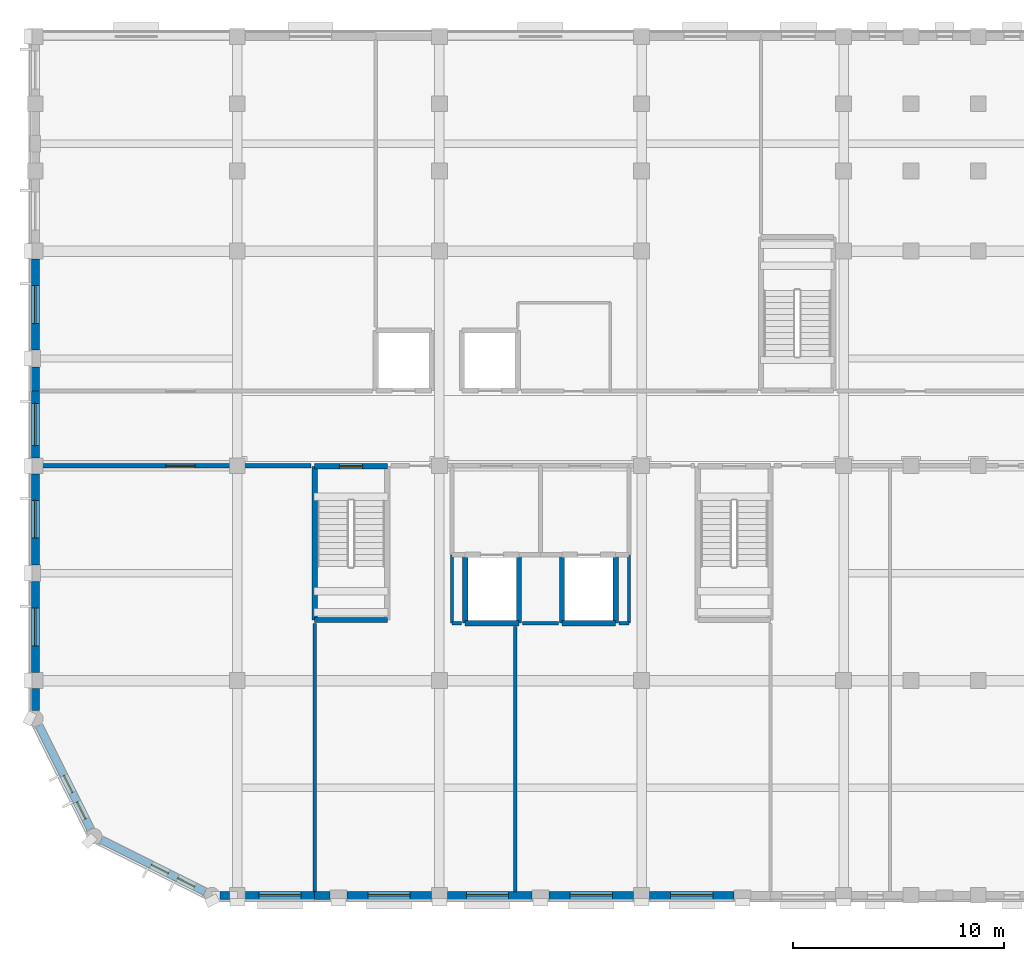
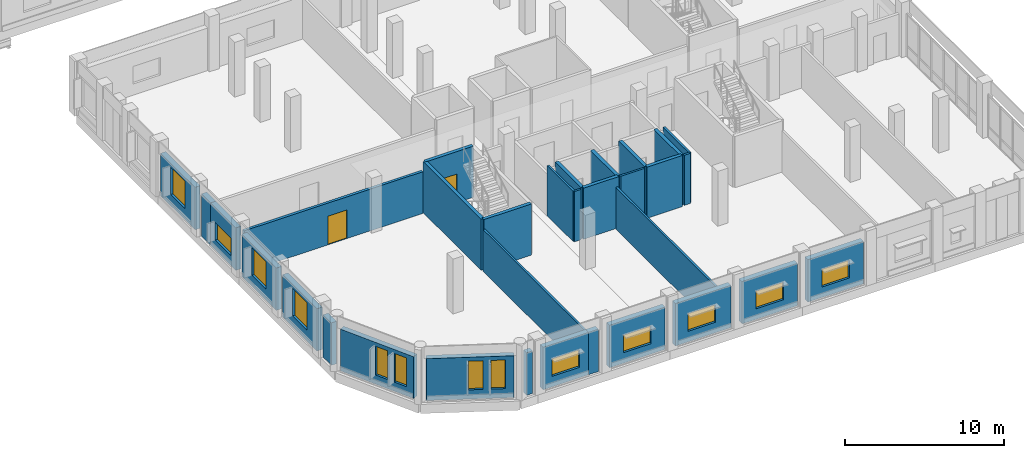
# One storey, part 136 of 170: 32 walls, 13 windows, 2 doors, 15 openings.
"""IFC4 building model written with IfcOpenShell, lengths in metres."""

from ifc_helpers import new_model, si_unit, direction, frame, frame_2d, origin, place, context, subcontext, project, spatial, rectangle, extrude, material, layer, layer_set, type_object, element, fill, save


model = new_model("IFC4")

# Units and contexts
model_context = context("Model", 3, precision=1e-05, world=origin(), true_north=direction((0.0, 1.0)))
body_context = subcontext(model_context, "Body", "Model", "MODEL_VIEW")
ifc_project = project(units=[si_unit("LENGTHUNIT", "METRE"), si_unit("AREAUNIT", "SQUARE_METRE"), si_unit("VOLUMEUNIT", "CUBIC_METRE"), si_unit("PLANEANGLEUNIT", "RADIAN"), si_unit("MASSUNIT", "GRAM", prefix="KILO")], contexts=[model_context])

# Site, building, storey
site_placement = place(None, origin())
site = spatial("IfcSite", under=ifc_project, at=site_placement, CompositionType="ELEMENT")
building_placement = place(site_placement, origin())
building = spatial("IfcBuilding", under=site, at=building_placement, Name="Vondelvale Polytechnic", CompositionType="ELEMENT")
storey_placement = place(building_placement, frame((0.0, 0.0, 5.39990234375)))
storey = spatial("IfcBuildingStorey", under=building, at=storey_placement, Name="L01", CompositionType="ELEMENT", Elevation=5.39990234375)

# Wall, openings, windows
ifc_material_1 = material(Name="Amsterdam School iron-spot clinker clay brickwork", Category="masonry")
ifc_layer_1 = layer(ifc_material_1, 0.3798828125)
ifc_layer_set_1 = layer_set([ifc_layer_1], Name="WL-BRICK-380")
wall_type_1 = type_object("IfcWallType", Name="WL-BRICK-380", PredefinedType="SOLIDWALL", material=ifc_layer_set_1)
wall_1_placement = place(storey_placement, frame((8.065185546875, 0.16748046875, 0.0), z_axis=(0.0, 0.0, 1.0), x_axis=(-0.89443604882, 0.447195879422, 0.0)))
wall_1 = element("IfcWall", 1, at=wall_1_placement, inside=storey, type_object=wall_type_1, Name="L01 exterior masonry facade wall", PredefinedType="SOLIDWALL", context=body_context, shape_type="SweptSolid", body=[
    extrude(rectangle(XDim=5.51220703125, YDim=0.3798828125, at=frame_2d((2.756103515625, 0.0))), origin(), (0.0, 0.0, 1.0), 3.2001953125),
])
opening_1_placement = place(wall_1_placement, frame((0.550048828125, 0.0, 0.699951171875)))
opening_1 = element("IfcOpeningElement", 2, at=opening_1_placement, cuts=wall_1, Name="Opening WN-0156", PredefinedType="OPENING", context=body_context, shape_type="SweptSolid", body=[
    extrude(rectangle(XDim=0.89990234375, YDim=2.199951171875, at=frame_2d((0.449951171875, 1.10009765625))), frame((0.0, 0.199951171875, 0.0), z_axis=(0.0, -1.0, 0.0), x_axis=(1.0, 0.0, 0.0)), (0.0, 0.0, 1.0), 0.39990234375),
])
opening_2_placement = place(wall_1_placement, frame((1.949951171875, 0.0, 0.699951171875)))
opening_2 = element("IfcOpeningElement", 3, at=opening_2_placement, cuts=wall_1, Name="Opening WN-0157", PredefinedType="OPENING", context=body_context, shape_type="SweptSolid", body=[
    extrude(rectangle(XDim=0.89990234375, YDim=2.199951171875, at=frame_2d((0.449951171875, 1.10009765625))), frame((0.0, 0.199951171875, 0.0), z_axis=(0.0, -1.0, 0.0), x_axis=(1.0, 0.0, 0.0)), (0.0, 0.0, 1.0), 0.39990234375),
])
ifc_material_2 = material(Name="Double-glazed low-E insulated architectural glass", Category="glass")
window_type_1 = type_object("IfcWindowType", Name="WN-TUR-0900x2200", PartitioningType="SINGLE_PANEL", PredefinedType="WINDOW", material=ifc_material_2)
window_1_placement = place(opening_1_placement, origin())
window_1 = element("IfcWindow", 4, at=window_1_placement, inside=storey, type_object=window_type_1, Name="L01 double-glazed architectural window WN-0156", OverallHeight=2.199951171875, OverallWidth=0.89990234375, PartitioningType="SINGLE_PANEL", PredefinedType="WINDOW", context=body_context, shape_type="SweptSolid", body=[
    extrude(rectangle(XDim=0.89990234375, YDim=2.199951171875, at=frame_2d((0.449951171875, 1.10009765625))), frame((0.0, 0.030029296875, 0.0), z_axis=(0.0, -1.0, 0.0), x_axis=(1.0, 0.0, 0.0)), (0.0, 0.0, 1.0), 0.06005859375),
])
fill(opening_1, window_1)
window_2_placement = place(opening_2_placement, origin())
window_2 = element("IfcWindow", 5, at=window_2_placement, inside=storey, type_object=window_type_1, Name="L01 double-glazed architectural window WN-0157", OverallHeight=2.199951171875, OverallWidth=0.89990234375, PartitioningType="SINGLE_PANEL", PredefinedType="WINDOW", context=body_context, shape_type="SweptSolid", body=[
    extrude(rectangle(XDim=0.89990234375, YDim=2.199951171875, at=frame_2d((0.449951171875, 1.10009765625))), frame((0.0, 0.030029296875, 0.0), z_axis=(0.0, -1.0, 0.0), x_axis=(1.0, 0.0, 0.0)), (0.0, 0.0, 1.0), 0.06005859375),
])
fill(opening_2, window_2)

wall_2_placement = place(storey_placement, frame((2.632568359375, 3.134765625, 0.0), z_axis=(0.0, 0.0, 1.0), x_axis=(-0.447195879422, 0.89443604882, 0.0)))
wall_2 = element("IfcWall", 6, at=wall_2_placement, inside=storey, type_object=wall_type_1, Name="L01 exterior masonry facade wall", PredefinedType="SOLIDWALL", context=body_context, shape_type="SweptSolid", body=[
    extrude(rectangle(XDim=5.51220703125, YDim=0.3798828125, at=frame_2d((2.756103515625, 0.0))), origin(), (0.0, 0.0, 1.0), 3.2001953125),
])
opening_3_placement = place(wall_2_placement, frame((0.550048828125, 0.0, 0.699951171875)))
opening_3 = element("IfcOpeningElement", 7, at=opening_3_placement, cuts=wall_2, Name="Opening WN-0158", PredefinedType="OPENING", context=body_context, shape_type="SweptSolid", body=[
    extrude(rectangle(XDim=0.89990234375, YDim=2.199951171875, at=frame_2d((0.449951171875, 1.10009765625))), frame((0.0, 0.199951171875, 0.0), z_axis=(0.0, -1.0, 0.0), x_axis=(1.0, 0.0, 0.0)), (0.0, 0.0, 1.0), 0.39990234375),
])
opening_4_placement = place(wall_2_placement, frame((1.949951171875, 0.0, 0.699951171875)))
opening_4 = element("IfcOpeningElement", 8, at=opening_4_placement, cuts=wall_2, Name="Opening WN-0159", PredefinedType="OPENING", context=body_context, shape_type="SweptSolid", body=[
    extrude(rectangle(XDim=0.89990234375, YDim=2.199951171875, at=frame_2d((0.449951171875, 1.10009765625))), frame((0.0, 0.199951171875, 0.0), z_axis=(0.0, -1.0, 0.0), x_axis=(1.0, 0.0, 0.0)), (0.0, 0.0, 1.0), 0.39990234375),
])
window_3_placement = place(opening_3_placement, origin())
window_3 = element("IfcWindow", 9, at=window_3_placement, inside=storey, type_object=window_type_1, Name="L01 double-glazed architectural window WN-0158", OverallHeight=2.199951171875, OverallWidth=0.89990234375, PartitioningType="SINGLE_PANEL", PredefinedType="WINDOW", context=body_context, shape_type="SweptSolid", body=[
    extrude(rectangle(XDim=0.89990234375, YDim=2.199951171875, at=frame_2d((0.449951171875, 1.10009765625))), frame((0.0, 0.030029296875, 0.0), z_axis=(0.0, -1.0, 0.0), x_axis=(1.0, 0.0, 0.0)), (0.0, 0.0, 1.0), 0.06005859375),
])
fill(opening_3, window_3)
window_4_placement = place(opening_4_placement, origin())
window_4 = element("IfcWindow", 10, at=window_4_placement, inside=storey, type_object=window_type_1, Name="L01 double-glazed architectural window WN-0159", OverallHeight=2.199951171875, OverallWidth=0.89990234375, PartitioningType="SINGLE_PANEL", PredefinedType="WINDOW", context=body_context, shape_type="SweptSolid", body=[
    extrude(rectangle(XDim=0.89990234375, YDim=2.199951171875, at=frame_2d((0.449951171875, 1.10009765625))), frame((0.0, 0.030029296875, 0.0), z_axis=(0.0, -1.0, 0.0), x_axis=(1.0, 0.0, 0.0)), (0.0, 0.0, 1.0), 0.06005859375),
])
fill(opening_4, window_4)

# Wall
wall_3_placement = place(storey_placement, frame((9.22412109375, 0.0, 0.0), z_axis=(0.0, 0.0, 1.0), x_axis=(-1.0, 0.0, 0.0)))
element("IfcWall", 11, at=wall_3_placement, inside=storey, type_object=wall_type_1, Name="L01 exterior masonry facade wall", PredefinedType="SOLIDWALL", context=body_context, shape_type="SweptSolid", body=[
    extrude(rectangle(XDim=0.4482421875, YDim=0.3798828125, at=frame_2d((0.22412109375, 0.0))), origin(), (0.0, 0.0, 1.0), 3.25),
])

# Wall, opening, window
wall_4_placement = place(storey_placement, frame((13.27490234375, 0.0, 0.0), z_axis=(0.0, 0.0, 1.0), x_axis=(-1.0, 0.0, 0.0)))
wall_4 = element("IfcWall", 12, at=wall_4_placement, inside=storey, type_object=wall_type_1, Name="L01 exterior masonry facade wall", PredefinedType="SOLIDWALL", context=body_context, shape_type="SweptSolid", body=[
    extrude(rectangle(XDim=3.298828125, YDim=0.3798828125, at=frame_2d((1.6494140625, 0.0))), origin(), (0.0, 0.0, 1.0), 3.25),
])
opening_5_placement = place(wall_4_placement, frame((0.6494140625, 0.0, 0.800048828125)))
opening_5 = element("IfcOpeningElement", 13, at=opening_5_placement, cuts=wall_4, Name="Opening WN-0160", PredefinedType="OPENING", context=body_context, shape_type="SweptSolid", body=[
    extrude(rectangle(XDim=2.0, YDim=1.35009765625, at=frame_2d((1.0, 0.675048828125))), frame((0.0, 0.199951171875, 0.0), z_axis=(0.0, -1.0, 0.0), x_axis=(1.0, 0.0, 0.0)), (0.0, 0.0, 1.0), 0.39990234375),
])
window_type_2 = type_object("IfcWindowType", Name="WN-RIB-2000x1350", PartitioningType="SINGLE_PANEL", PredefinedType="WINDOW", material=ifc_material_2)
window_5_placement = place(opening_5_placement, origin())
window_5 = element("IfcWindow", 14, at=window_5_placement, inside=storey, type_object=window_type_2, Name="L01 double-glazed architectural window WN-0160", OverallHeight=1.35009765625, OverallWidth=2.0, PartitioningType="SINGLE_PANEL", PredefinedType="WINDOW", context=body_context, shape_type="SweptSolid", body=[
    extrude(rectangle(XDim=2.0, YDim=1.35009765625, at=frame_2d((1.0, 0.675048828125))), frame((0.0, 0.030029296875, 0.0), z_axis=(0.0, -1.0, 0.0), x_axis=(1.0, 0.0, 0.0)), (0.0, 0.0, 1.0), 0.06005859375),
])
fill(opening_5, window_5)

# Wall
wall_5_placement = place(storey_placement, frame((13.9990234375, 0.0, 0.0), z_axis=(0.0, 0.0, 1.0), x_axis=(-1.0, 0.0, 0.0)))
element("IfcWall", 15, at=wall_5_placement, inside=storey, type_object=wall_type_1, Name="L01 exterior masonry facade wall", PredefinedType="SOLIDWALL", context=body_context, shape_type="SweptSolid", body=[
    extrude(rectangle(XDim=0.72412109375, YDim=0.3798828125, at=frame_2d((0.362060546875, 0.0))), origin(), (0.0, 0.0, 1.0), 3.25),
])

# Wall, opening, window
wall_6_placement = place(storey_placement, frame((18.823974609375, 0.0, 0.0), z_axis=(0.0, 0.0, 1.0), x_axis=(-1.0, 0.0, 0.0)))
wall_6 = element("IfcWall", 16, at=wall_6_placement, inside=storey, type_object=wall_type_1, Name="L01 exterior masonry facade wall", PredefinedType="SOLIDWALL", context=body_context, shape_type="SweptSolid", body=[
    extrude(rectangle(XDim=4.02294921875, YDim=0.3798828125, at=frame_2d((2.011474609375, 0.0))), origin(), (0.0, 0.0, 1.0), 3.25),
])
opening_6_placement = place(wall_6_placement, frame((1.011474609375, 0.0, 0.800048828125)))
opening_6 = element("IfcOpeningElement", 17, at=opening_6_placement, cuts=wall_6, Name="Opening WN-0161", PredefinedType="OPENING", context=body_context, shape_type="SweptSolid", body=[
    extrude(rectangle(XDim=2.0, YDim=1.35009765625, at=frame_2d((1.0, 0.675048828125))), frame((0.0, 0.199951171875, 0.0), z_axis=(0.0, -1.0, 0.0), x_axis=(1.0, 0.0, 0.0)), (0.0, 0.0, 1.0), 0.39990234375),
])
window_6_placement = place(opening_6_placement, origin())
window_6 = element("IfcWindow", 18, at=window_6_placement, inside=storey, type_object=window_type_2, Name="L01 double-glazed architectural window WN-0161", OverallHeight=1.35009765625, OverallWidth=2.0, PartitioningType="SINGLE_PANEL", PredefinedType="WINDOW", context=body_context, shape_type="SweptSolid", body=[
    extrude(rectangle(XDim=2.0, YDim=1.35009765625, at=frame_2d((1.0, 0.675048828125))), frame((0.0, 0.030029296875, 0.0), z_axis=(0.0, -1.0, 0.0), x_axis=(1.0, 0.0, 0.0)), (0.0, 0.0, 1.0), 0.06005859375),
])
fill(opening_6, window_6)

wall_7_placement = place(storey_placement, frame((23.59912109375, 0.0, 0.0), z_axis=(0.0, 0.0, 1.0), x_axis=(-1.0, 0.0, 0.0)))
wall_7 = element("IfcWall", 19, at=wall_7_placement, inside=storey, type_object=wall_type_1, Name="L01 exterior masonry facade wall", PredefinedType="SOLIDWALL", context=body_context, shape_type="SweptSolid", body=[
    extrude(rectangle(XDim=4.023193359375, YDim=0.3798828125, at=frame_2d((2.01171875, 0.0))), origin(), (0.0, 0.0, 1.0), 3.25),
])
opening_7_placement = place(wall_7_placement, frame((1.118896484375, 0.0, 0.800048828125)))
opening_7 = element("IfcOpeningElement", 20, at=opening_7_placement, cuts=wall_7, Name="Opening WN-0162", PredefinedType="OPENING", context=body_context, shape_type="SweptSolid", body=[
    extrude(rectangle(XDim=2.0, YDim=1.35009765625, at=frame_2d((1.0, 0.675048828125))), frame((0.0, 0.199951171875, 0.0), z_axis=(0.0, -1.0, 0.0), x_axis=(1.0, 0.0, 0.0)), (0.0, 0.0, 1.0), 0.39990234375),
])
window_7_placement = place(opening_7_placement, origin())
window_7 = element("IfcWindow", 21, at=window_7_placement, inside=storey, type_object=window_type_2, Name="L01 double-glazed architectural window WN-0162", OverallHeight=1.35009765625, OverallWidth=2.0, PartitioningType="SINGLE_PANEL", PredefinedType="WINDOW", context=body_context, shape_type="SweptSolid", body=[
    extrude(rectangle(XDim=2.0, YDim=1.35009765625, at=frame_2d((1.0, 0.675048828125))), frame((0.0, 0.030029296875, 0.0), z_axis=(0.0, -1.0, 0.0), x_axis=(1.0, 0.0, 0.0)), (0.0, 0.0, 1.0), 0.06005859375),
])
fill(opening_7, window_7)

wall_8_placement = place(storey_placement, frame((28.424072265625, 0.0, 0.0), z_axis=(0.0, 0.0, 1.0), x_axis=(-1.0, 0.0, 0.0)))
wall_8 = element("IfcWall", 22, at=wall_8_placement, inside=storey, type_object=wall_type_1, Name="L01 exterior masonry facade wall", PredefinedType="SOLIDWALL", context=body_context, shape_type="SweptSolid", body=[
    extrude(rectangle(XDim=4.023193359375, YDim=0.3798828125, at=frame_2d((2.01171875, 0.0))), origin(), (0.0, 0.0, 1.0), 3.25),
])
opening_8_placement = place(wall_8_placement, frame((1.011474609375, 0.0, 0.800048828125)))
opening_8 = element("IfcOpeningElement", 23, at=opening_8_placement, cuts=wall_8, Name="Opening WN-0163", PredefinedType="OPENING", context=body_context, shape_type="SweptSolid", body=[
    extrude(rectangle(XDim=2.0, YDim=1.35009765625, at=frame_2d((1.0, 0.675048828125))), frame((0.0, 0.199951171875, 0.0), z_axis=(0.0, -1.0, 0.0), x_axis=(1.0, 0.0, 0.0)), (0.0, 0.0, 1.0), 0.39990234375),
])
window_8_placement = place(opening_8_placement, origin())
window_8 = element("IfcWindow", 24, at=window_8_placement, inside=storey, type_object=window_type_2, Name="L01 double-glazed architectural window WN-0163", OverallHeight=1.35009765625, OverallWidth=2.0, PartitioningType="SINGLE_PANEL", PredefinedType="WINDOW", context=body_context, shape_type="SweptSolid", body=[
    extrude(rectangle(XDim=2.0, YDim=1.35009765625, at=frame_2d((1.0, 0.675048828125))), frame((0.0, 0.030029296875, 0.0), z_axis=(0.0, -1.0, 0.0), x_axis=(1.0, 0.0, 0.0)), (0.0, 0.0, 1.0), 0.06005859375),
])
fill(opening_8, window_8)

wall_9_placement = place(storey_placement, frame((33.198974609375, 0.0, 0.0), z_axis=(0.0, 0.0, 1.0), x_axis=(-1.0, 0.0, 0.0)))
wall_9 = element("IfcWall", 25, at=wall_9_placement, inside=storey, type_object=wall_type_1, Name="L01 exterior masonry facade wall", PredefinedType="SOLIDWALL", context=body_context, shape_type="SweptSolid", body=[
    extrude(rectangle(XDim=4.02294921875, YDim=0.3798828125, at=frame_2d((2.011474609375, 0.0))), origin(), (0.0, 0.0, 1.0), 3.25),
])
opening_9_placement = place(wall_9_placement, frame((1.011474609375, 0.0, 0.800048828125)))
opening_9 = element("IfcOpeningElement", 26, at=opening_9_placement, cuts=wall_9, Name="Opening WN-0164", PredefinedType="OPENING", context=body_context, shape_type="SweptSolid", body=[
    extrude(rectangle(XDim=2.0, YDim=1.35009765625, at=frame_2d((1.0, 0.675048828125))), frame((0.0, 0.199951171875, 0.0), z_axis=(0.0, -1.0, 0.0), x_axis=(1.0, 0.0, 0.0)), (0.0, 0.0, 1.0), 0.39990234375),
])
window_9_placement = place(opening_9_placement, origin())
window_9 = element("IfcWindow", 27, at=window_9_placement, inside=storey, type_object=window_type_2, Name="L01 double-glazed architectural window WN-0164", OverallHeight=1.35009765625, OverallWidth=2.0, PartitioningType="SINGLE_PANEL", PredefinedType="WINDOW", context=body_context, shape_type="SweptSolid", body=[
    extrude(rectangle(XDim=2.0, YDim=1.35009765625, at=frame_2d((1.0, 0.675048828125))), frame((0.0, 0.030029296875, 0.0), z_axis=(0.0, -1.0, 0.0), x_axis=(1.0, 0.0, 0.0)), (0.0, 0.0, 1.0), 0.06005859375),
])
fill(opening_9, window_9)

# Wall
wall_10_placement = place(storey_placement, frame((0.0, 8.77587890625, 0.0), z_axis=(0.0, 0.0, 1.0), x_axis=(0.0, 1.0, 0.0)))
element("IfcWall", 28, at=wall_10_placement, inside=storey, type_object=wall_type_1, Name="L01 exterior masonry facade wall", PredefinedType="SOLIDWALL", context=body_context, shape_type="SweptSolid", body=[
    extrude(rectangle(XDim=1.048095703125, YDim=0.3798828125, at=frame_2d((0.52392578125, 0.0))), origin(), (0.0, 0.0, 1.0), 3.25),
])

# Wall, opening, window
wall_11_placement = place(storey_placement, frame((0.0, 10.575927734375, 0.0), z_axis=(0.0, 0.0, 1.0), x_axis=(0.0, 1.0, 0.0)))
wall_11 = element("IfcWall", 29, at=wall_11_placement, inside=storey, type_object=wall_type_1, Name="L01 exterior masonry facade wall", PredefinedType="SOLIDWALL", context=body_context, shape_type="SweptSolid", body=[
    extrude(rectangle(XDim=4.322998046875, YDim=0.3798828125, at=frame_2d((2.16162109375, 0.0))), origin(), (0.0, 0.0, 1.0), 3.25),
])
opening_10_placement = place(wall_11_placement, frame((1.261474609375, 0.0, 0.85009765625)))
opening_10 = element("IfcOpeningElement", 30, at=opening_10_placement, cuts=wall_11, Name="Opening WN-0168", PredefinedType="OPENING", context=body_context, shape_type="SweptSolid", body=[
    extrude(rectangle(XDim=1.800048828125, YDim=2.10009765625, at=frame_2d((0.89990234375, 1.050048828125))), frame((0.0, 0.199951171875, 0.0), z_axis=(0.0, -1.0, 0.0), x_axis=(1.0, 0.0, 0.0)), (0.0, 0.0, 1.0), 0.39990234375),
])
window_type_3 = type_object("IfcWindowType", Name="WN-LAB-1800x2100", PartitioningType="SINGLE_PANEL", PredefinedType="WINDOW", material=ifc_material_2)
window_10_placement = place(opening_10_placement, origin())
window_10 = element("IfcWindow", 31, at=window_10_placement, inside=storey, type_object=window_type_3, Name="L01 double-glazed architectural window WN-0168", OverallHeight=2.10009765625, OverallWidth=1.800048828125, PartitioningType="SINGLE_PANEL", PredefinedType="WINDOW", context=body_context, shape_type="SweptSolid", body=[
    extrude(rectangle(XDim=1.800048828125, YDim=2.10009765625, at=frame_2d((0.89990234375, 1.050048828125))), frame((0.0, 0.030029296875, 0.0), z_axis=(0.0, -1.0, 0.0), x_axis=(1.0, 0.0, 0.0)), (0.0, 0.0, 1.0), 0.06005859375),
])
fill(opening_10, window_10)

wall_12_placement = place(storey_placement, frame((0.0, 15.700927734375, 0.0), z_axis=(0.0, 0.0, 1.0), x_axis=(0.0, 1.0, 0.0)))
wall_12 = element("IfcWall", 32, at=wall_12_placement, inside=storey, type_object=wall_type_1, Name="L01 exterior masonry facade wall", PredefinedType="SOLIDWALL", context=body_context, shape_type="SweptSolid", body=[
    extrude(rectangle(XDim=4.322998046875, YDim=0.3798828125, at=frame_2d((2.16162109375, 0.0))), origin(), (0.0, 0.0, 1.0), 3.25),
])
opening_11_placement = place(wall_12_placement, frame((1.261474609375, 0.0, 0.85009765625)))
opening_11 = element("IfcOpeningElement", 33, at=opening_11_placement, cuts=wall_12, Name="Opening WN-0169", PredefinedType="OPENING", context=body_context, shape_type="SweptSolid", body=[
    extrude(rectangle(XDim=1.800048828125, YDim=2.10009765625, at=frame_2d((0.89990234375, 1.050048828125))), frame((0.0, 0.199951171875, 0.0), z_axis=(0.0, -1.0, 0.0), x_axis=(1.0, 0.0, 0.0)), (0.0, 0.0, 1.0), 0.39990234375),
])
window_11_placement = place(opening_11_placement, origin())
window_11 = element("IfcWindow", 34, at=window_11_placement, inside=storey, type_object=window_type_3, Name="L01 double-glazed architectural window WN-0169", OverallHeight=2.10009765625, OverallWidth=1.800048828125, PartitioningType="SINGLE_PANEL", PredefinedType="WINDOW", context=body_context, shape_type="SweptSolid", body=[
    extrude(rectangle(XDim=1.800048828125, YDim=2.10009765625, at=frame_2d((0.89990234375, 1.050048828125))), frame((0.0, 0.030029296875, 0.0), z_axis=(0.0, -1.0, 0.0), x_axis=(1.0, 0.0, 0.0)), (0.0, 0.0, 1.0), 0.06005859375),
])
fill(opening_11, window_11)

wall_13_placement = place(storey_placement, frame((0.0, 20.77587890625, 0.0), z_axis=(0.0, 0.0, 1.0), x_axis=(0.0, 1.0, 0.0)))
wall_13 = element("IfcWall", 35, at=wall_13_placement, inside=storey, type_object=wall_type_1, Name="L01 exterior masonry facade wall", PredefinedType="SOLIDWALL", context=body_context, shape_type="SweptSolid", body=[
    extrude(rectangle(XDim=3.174072265625, YDim=0.3798828125, at=frame_2d((1.5869140625, 0.0))), origin(), (0.0, 0.0, 1.0), 3.25),
])
opening_12_placement = place(wall_13_placement, frame((0.5869140625, 0.0, 0.75)))
opening_12 = element("IfcOpeningElement", 36, at=opening_12_placement, cuts=wall_13, Name="Opening WN-0170", PredefinedType="OPENING", context=body_context, shape_type="SweptSolid", body=[
    extrude(rectangle(XDim=2.0, YDim=1.35009765625, at=frame_2d((1.0, 0.675048828125))), frame((0.0, 0.199951171875, 0.0), z_axis=(0.0, -1.0, 0.0), x_axis=(1.0, 0.0, 0.0)), (0.0, 0.0, 1.0), 0.39990234375),
])
window_12_placement = place(opening_12_placement, origin())
window_12 = element("IfcWindow", 37, at=window_12_placement, inside=storey, type_object=window_type_2, Name="L01 double-glazed architectural window WN-0170", OverallHeight=1.35009765625, OverallWidth=2.0, PartitioningType="SINGLE_PANEL", PredefinedType="WINDOW", context=body_context, shape_type="SweptSolid", body=[
    extrude(rectangle(XDim=2.0, YDim=1.35009765625, at=frame_2d((1.0, 0.675048828125))), frame((0.0, 0.030029296875, 0.0), z_axis=(0.0, -1.0, 0.0), x_axis=(1.0, 0.0, 0.0)), (0.0, 0.0, 1.0), 0.06005859375),
])
fill(opening_12, window_12)

# Wall
wall_14_placement = place(storey_placement, frame((0.0, 23.949951171875, 0.0), z_axis=(0.0, 0.0, 1.0), x_axis=(0.0, 1.0, 0.0)))
element("IfcWall", 38, at=wall_14_placement, inside=storey, type_object=wall_type_1, Name="L01 exterior masonry facade wall", PredefinedType="SOLIDWALL", context=body_context, shape_type="SweptSolid", body=[
    extrude(rectangle(XDim=1.149169921875, YDim=0.3798828125, at=frame_2d((0.57470703125, 0.0))), origin(), (0.0, 0.0, 1.0), 3.25),
])

# Wall, opening, window
wall_15_placement = place(storey_placement, frame((0.0, 25.90087890625, 0.0), z_axis=(0.0, 0.0, 1.0), x_axis=(0.0, 1.0, 0.0)))
wall_15 = element("IfcWall", 39, at=wall_15_placement, inside=storey, type_object=wall_type_1, Name="L01 exterior masonry facade wall", PredefinedType="SOLIDWALL", context=body_context, shape_type="SweptSolid", body=[
    extrude(rectangle(XDim=4.3232421875, YDim=0.3798828125, at=frame_2d((2.16162109375, 0.0))), origin(), (0.0, 0.0, 1.0), 3.25),
])
opening_13_placement = place(wall_15_placement, frame((1.261474609375, 0.0, 0.85009765625)))
opening_13 = element("IfcOpeningElement", 40, at=opening_13_placement, cuts=wall_15, Name="Opening WN-0171", PredefinedType="OPENING", context=body_context, shape_type="SweptSolid", body=[
    extrude(rectangle(XDim=1.800048828125, YDim=2.10009765625, at=frame_2d((0.89990234375, 1.050048828125))), frame((0.0, 0.199951171875, 0.0), z_axis=(0.0, -1.0, 0.0), x_axis=(1.0, 0.0, 0.0)), (0.0, 0.0, 1.0), 0.39990234375),
])
window_13_placement = place(opening_13_placement, origin())
window_13 = element("IfcWindow", 41, at=window_13_placement, inside=storey, type_object=window_type_3, Name="L01 double-glazed architectural window WN-0171", OverallHeight=2.10009765625, OverallWidth=1.800048828125, PartitioningType="SINGLE_PANEL", PredefinedType="WINDOW", context=body_context, shape_type="SweptSolid", body=[
    extrude(rectangle(XDim=1.800048828125, YDim=2.10009765625, at=frame_2d((0.89990234375, 1.050048828125))), frame((0.0, 0.030029296875, 0.0), z_axis=(0.0, -1.0, 0.0), x_axis=(1.0, 0.0, 0.0)), (0.0, 0.0, 1.0), 0.06005859375),
])
fill(opening_13, window_13)

# Walls
ifc_material_3 = material(Name="Concrete N40 (f'c = 40 MPa)", Category="concrete")
ifc_layer_2 = layer(ifc_material_3, 0.25)
ifc_layer_set_2 = layer_set([ifc_layer_2], Name="WL-CORE-250")
wall_type_2 = type_object("IfcWallType", Name="WL-CORE-250", PredefinedType="SOLIDWALL", material=ifc_layer_set_2)
wall_16_placement = place(storey_placement, frame((13.27490234375, 20.375, 0.0), z_axis=(0.0, 0.0, 1.0), x_axis=(0.0, -1.0, 0.0)))
element("IfcWall", 42, at=wall_16_placement, inside=storey, type_object=wall_type_2, Name="L01 ST-03 reinforced concrete stair core wall", PredefinedType="SOLIDWALL", context=body_context, shape_type="SweptSolid", body=[
    extrude(rectangle(XDim=7.300048828125, YDim=0.25, at=frame_2d((3.64990234375, 0.0))), origin(), (0.0, 0.0, 1.0), 3.920166015625),
])
wall_17_placement = place(storey_placement, frame((13.27490234375, 13.074951171875, 0.0), z_axis=(0.0, 0.0, 1.0), x_axis=(1.0, 0.0, 0.0)))
element("IfcWall", 43, at=wall_17_placement, inside=storey, type_object=wall_type_2, Name="L01 ST-03 reinforced concrete stair core wall", PredefinedType="SOLIDWALL", context=body_context, shape_type="SweptSolid", body=[
    extrude(rectangle(XDim=3.4501953125, YDim=0.25, at=frame_2d((1.72509765625, 0.0))), origin(), (0.0, 0.0, 1.0), 3.920166015625),
])

# Wall, opening, door
wall_18_placement = place(storey_placement, frame((16.72509765625, 20.375, 0.0), z_axis=(0.0, 0.0, 1.0), x_axis=(-1.0, 0.0, 0.0)))
wall_18 = element("IfcWall", 44, at=wall_18_placement, inside=storey, type_object=wall_type_2, Name="L01 ST-03 reinforced concrete stair core wall", PredefinedType="SOLIDWALL", context=body_context, shape_type="SweptSolid", body=[
    extrude(rectangle(XDim=3.4501953125, YDim=0.25, at=frame_2d((1.72509765625, 0.0))), origin(), (0.0, 0.0, 1.0), 3.920166015625),
])
opening_14_placement = place(wall_18_placement, frame((1.175048828125, 0.0, 0.0)))
opening_14 = element("IfcOpeningElement", 45, at=opening_14_placement, cuts=wall_18, Name="Opening SD-011", PredefinedType="OPENING", context=body_context, shape_type="SweptSolid", body=[
    extrude(rectangle(XDim=1.10009765625, YDim=2.199951171875, at=frame_2d((0.550048828125, 1.10009765625))), frame((0.0, 0.135009765625, 0.0), z_axis=(0.0, -1.0, 0.0), x_axis=(1.0, 0.0, 0.0)), (0.0, 0.0, 1.0), 0.27001953125),
])
ifc_material_4 = material(Name="Brushed architectural stainless and zinc-coated metal")
door_type_1 = type_object("IfcDoorType", Name="DR-STAIR-1100x2200", OperationType="SINGLE_SWING_LEFT", PredefinedType="DOOR", material=ifc_material_4)
door_1_placement = place(opening_14_placement, origin())
door_1 = element("IfcDoor", 46, at=door_1_placement, inside=storey, type_object=door_type_1, Name="L01 ST-03 fire-isolated stair door", OperationType="SINGLE_SWING_LEFT", OverallHeight=2.199951171875, OverallWidth=1.10009765625, PredefinedType="DOOR", context=body_context, shape_type="SweptSolid", body=[
    extrude(rectangle(XDim=1.10009765625, YDim=2.199951171875, at=frame_2d((0.550048828125, 1.10009765625))), frame((0.0, 0.02490234375, 0.0), z_axis=(0.0, -1.0, 0.0), x_axis=(1.0, 0.0, 0.0)), (0.0, 0.0, 1.0), 0.050048828125),
])
fill(opening_14, door_1)

ifc_material_5 = material(Name="Fire-rated double-layer plasterboard stud partition")
ifc_layer_3 = layer(ifc_material_5, 0.199951171875)
ifc_layer_set_3 = layer_set([ifc_layer_3], Name="WL-CORR-200")
wall_type_3 = type_object("IfcWallType", Name="WL-CORR-200", PredefinedType="PARTITIONING", material=ifc_layer_set_3)
wall_19_placement = place(storey_placement, frame((0.14990234375, 20.39990234375, 0.0), z_axis=(0.0, 0.0, 1.0), x_axis=(1.0, 0.0, 0.0)))
wall_19 = element("IfcWall", 47, at=wall_19_placement, inside=storey, type_object=wall_type_3, Name="L01 interior acoustic partition", PredefinedType="PARTITIONING", context=body_context, shape_type="SweptSolid", body=[
    extrude(rectangle(XDim=12.960205078125, YDim=0.199951171875, at=frame_2d((6.47998046875, 0.0))), origin(), (0.0, 0.0, 1.0), 3.2001953125),
])
opening_15_placement = place(wall_19_placement, frame((6.050048828125, 0.0, 0.0)))
opening_15 = element("IfcOpeningElement", 48, at=opening_15_placement, cuts=wall_19, Name="Opening ID-0149", PredefinedType="OPENING", context=body_context, shape_type="SweptSolid", body=[
    extrude(rectangle(XDim=1.39990234375, YDim=2.199951171875, at=frame_2d((0.699951171875, 1.10009765625))), frame((0.0, 0.10986328125, 0.0), z_axis=(0.0, -1.0, 0.0), x_axis=(1.0, 0.0, 0.0)), (0.0, 0.0, 1.0), 0.219970703125),
])
ifc_material_6 = material(Name="Fire-rated solid Tasmanian oak joinery")
door_type_2 = type_object("IfcDoorType", Name="DR-LAB-1400x2200", OperationType="DOUBLE_DOOR_SINGLE_SWING", PredefinedType="DOOR", material=ifc_material_6)
door_2_placement = place(opening_15_placement, origin())
door_2 = element("IfcDoor", 49, at=door_2_placement, inside=storey, type_object=door_type_2, Name="L01 interior room door ID-0149", OperationType="DOUBLE_DOOR_SINGLE_SWING", OverallHeight=2.199951171875, OverallWidth=1.39990234375, PredefinedType="DOOR", context=body_context, shape_type="SweptSolid", body=[
    extrude(rectangle(XDim=1.39990234375, YDim=2.199951171875, at=frame_2d((0.699951171875, 1.10009765625))), frame((0.0, 0.02490234375, 0.0), z_axis=(0.0, -1.0, 0.0), x_axis=(1.0, 0.0, 0.0)), (0.0, 0.0, 1.0), 0.050048828125),
])
fill(opening_15, door_2)

# Walls
ifc_layer_4 = layer(ifc_material_5, 0.14990234375)
ifc_layer_set_4 = layer_set([ifc_layer_4], Name="WL-INT-150")
wall_type_4 = type_object("IfcWallType", Name="WL-INT-150", PredefinedType="PARTITIONING", material=ifc_layer_set_4)
wall_20_placement = place(storey_placement, frame((13.27490234375, 0.14990234375, 0.0), z_axis=(0.0, 0.0, 1.0), x_axis=(0.0, 1.0, 0.0)))
element("IfcWall", 50, at=wall_20_placement, inside=storey, type_object=wall_type_4, Name="L01 interior acoustic partition", PredefinedType="PARTITIONING", context=body_context, shape_type="SweptSolid", body=[
    extrude(rectangle(XDim=12.760009765625, YDim=0.14990234375, at=frame_2d((6.3798828125, 0.0))), origin(), (0.0, 0.0, 1.0), 3.2001953125),
])
wall_21_placement = place(storey_placement, frame((19.800048828125, 12.925048828125, 0.0), z_axis=(0.0, 0.0, 1.0), x_axis=(1.0, 0.0, 0.0)))
element("IfcWall", 51, at=wall_21_placement, inside=storey, type_object=wall_type_4, Name="L01 interior acoustic partition", PredefinedType="PARTITIONING", context=body_context, shape_type="SweptSolid", body=[
    extrude(rectangle(XDim=0.4599609375, YDim=0.14990234375, at=frame_2d((0.22998046875, 0.0))), origin(), (0.0, 0.0, 1.0), 3.85009765625),
])
wall_22_placement = place(storey_placement, frame((23.139892578125, 12.925048828125, 0.0), z_axis=(0.0, 0.0, 1.0), x_axis=(1.0, 0.0, 0.0)))
element("IfcWall", 52, at=wall_22_placement, inside=storey, type_object=wall_type_4, Name="L01 interior acoustic partition", PredefinedType="PARTITIONING", context=body_context, shape_type="SweptSolid", body=[
    extrude(rectangle(XDim=1.72021484375, YDim=0.14990234375, at=frame_2d((0.860107421875, 0.0))), origin(), (0.0, 0.0, 1.0), 3.85009765625),
])
wall_23_placement = place(storey_placement, frame((27.739990234375, 12.925048828125, 0.0), z_axis=(0.0, 0.0, 1.0), x_axis=(1.0, 0.0, 0.0)))
element("IfcWall", 53, at=wall_23_placement, inside=storey, type_object=wall_type_4, Name="L01 interior acoustic partition", PredefinedType="PARTITIONING", context=body_context, shape_type="SweptSolid", body=[
    extrude(rectangle(XDim=0.4599609375, YDim=0.14990234375, at=frame_2d((0.22998046875, 0.0))), origin(), (0.0, 0.0, 1.0), 3.85009765625),
])
wall_24_placement = place(storey_placement, frame((19.800048828125, 12.925048828125, 0.0), z_axis=(0.0, 0.0, 1.0), x_axis=(0.0, 1.0, 0.0)))
element("IfcWall", 54, at=wall_24_placement, inside=storey, type_object=wall_type_4, Name="L01 interior acoustic partition", PredefinedType="PARTITIONING", context=body_context, shape_type="SweptSolid", body=[
    extrude(rectangle(XDim=3.25, YDim=0.14990234375, at=frame_2d((1.625, 0.0))), origin(), (0.0, 0.0, 1.0), 3.85009765625),
])
wall_25_placement = place(storey_placement, frame((22.800048828125, 0.14990234375, 0.0), z_axis=(0.0, 0.0, 1.0), x_axis=(0.0, 1.0, 0.0)))
element("IfcWall", 55, at=wall_25_placement, inside=storey, type_object=wall_type_4, Name="L01 interior acoustic partition", PredefinedType="PARTITIONING", context=body_context, shape_type="SweptSolid", body=[
    extrude(rectangle(XDim=12.610107421875, YDim=0.14990234375, at=frame_2d((6.30517578125, 0.0))), origin(), (0.0, 0.0, 1.0), 3.2001953125),
])
wall_26_placement = place(storey_placement, frame((28.199951171875, 12.925048828125, 0.0), z_axis=(0.0, 0.0, 1.0), x_axis=(0.0, 1.0, 0.0)))
element("IfcWall", 56, at=wall_26_placement, inside=storey, type_object=wall_type_4, Name="L01 interior acoustic partition", PredefinedType="PARTITIONING", context=body_context, shape_type="SweptSolid", body=[
    extrude(rectangle(XDim=3.25, YDim=0.14990234375, at=frame_2d((1.625, 0.0))), origin(), (0.0, 0.0, 1.0), 3.85009765625),
])
ifc_layer_5 = layer(ifc_material_3, 0.25)
ifc_layer_set_5 = layer_set([ifc_layer_5], Name="WL-SHAFT-250")
wall_type_5 = type_object("IfcWallType", Name="WL-SHAFT-250", PredefinedType="SOLIDWALL", material=ifc_layer_set_5)
wall_27_placement = place(storey_placement, frame((20.425048828125, 12.925048828125, 0.0), z_axis=(0.0, 0.0, 1.0), x_axis=(1.0, 0.0, 0.0)))
element("IfcWall", 57, at=wall_27_placement, inside=storey, type_object=wall_type_5, Name="L01 EL-01 lift shaft wall S", PredefinedType="SOLIDWALL", context=body_context, shape_type="SweptSolid", body=[
    extrude(rectangle(XDim=2.550048828125, YDim=0.25, at=frame_2d((1.27490234375, 0.0))), origin(), (0.0, 0.0, 1.0), 3.920166015625),
])
for number, where, z_axis, x_axis, name in (
    (58, (22.97509765625, 12.925048828125, 0.0), (0.0, 0.0, 1.0), (0.0, 1.0, 0.0), "L01 EL-01 lift shaft wall E"),
    (59, (20.425048828125, 16.175048828125, 0.0), (0.0, 0.0, 1.0), (0.0, -1.0, 0.0), "L01 EL-01 lift shaft wall W"),
):
    element("IfcWall", number, at=place(storey_placement, frame(where, z_axis=z_axis, x_axis=x_axis)), inside=storey, type_object=wall_type_5, Name=name, PredefinedType="SOLIDWALL", context=body_context, shape_type="SweptSolid", body=[
        extrude(rectangle(XDim=3.25, YDim=0.25, at=frame_2d((1.625, 0.0))), origin(), (0.0, 0.0, 1.0), 3.920166015625),
    ])
wall_28_placement = place(storey_placement, frame((25.02490234375, 12.925048828125, 0.0), z_axis=(0.0, 0.0, 1.0), x_axis=(1.0, 0.0, 0.0)))
element("IfcWall", 60, at=wall_28_placement, inside=storey, type_object=wall_type_5, Name="L01 EL-02 lift shaft wall S", PredefinedType="SOLIDWALL", context=body_context, shape_type="SweptSolid", body=[
    extrude(rectangle(XDim=2.550048828125, YDim=0.25, at=frame_2d((1.27490234375, 0.0))), origin(), (0.0, 0.0, 1.0), 3.920166015625),
])
for number, where, z_axis, x_axis, name in (
    (61, (27.574951171875, 12.925048828125, 0.0), (0.0, 0.0, 1.0), (0.0, 1.0, 0.0), "L01 EL-02 lift shaft wall E"),
    (62, (25.02490234375, 16.175048828125, 0.0), (0.0, 0.0, 1.0), (0.0, -1.0, 0.0), "L01 EL-02 lift shaft wall W"),
):
    element("IfcWall", number, at=place(storey_placement, frame(where, z_axis=z_axis, x_axis=x_axis)), inside=storey, type_object=wall_type_5, Name=name, PredefinedType="SOLIDWALL", context=body_context, shape_type="SweptSolid", body=[
        extrude(rectangle(XDim=3.25, YDim=0.25, at=frame_2d((1.625, 0.0))), origin(), (0.0, 0.0, 1.0), 3.920166015625),
    ])

save(model, "model.ifc")
